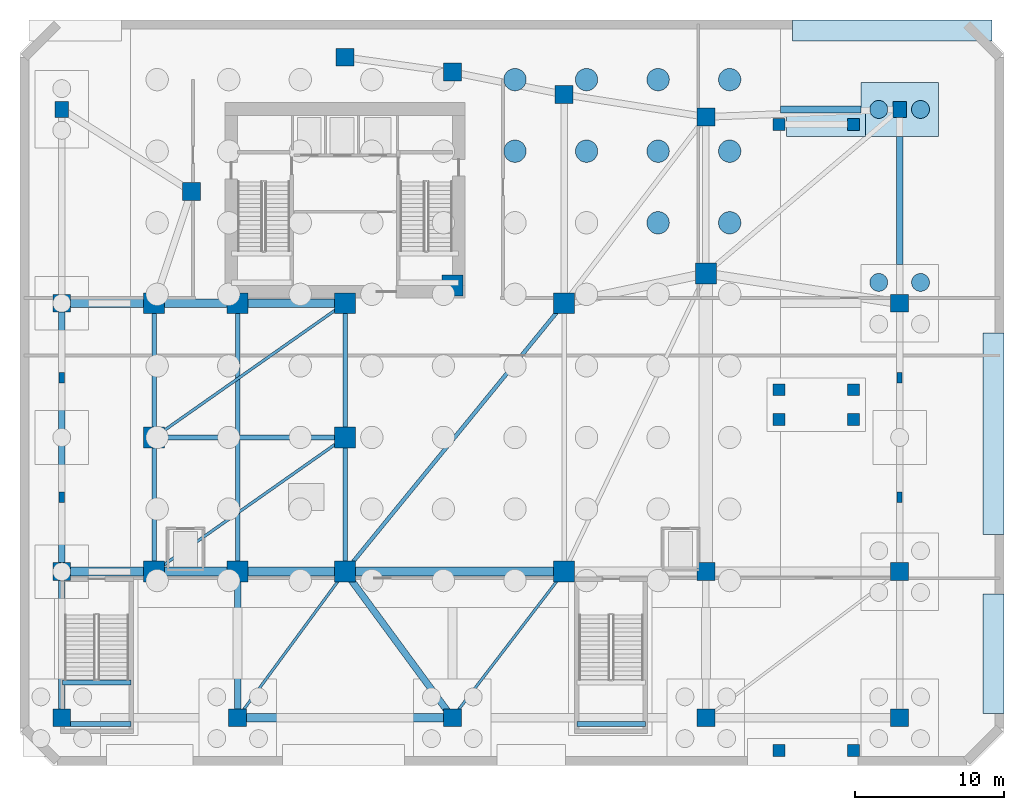
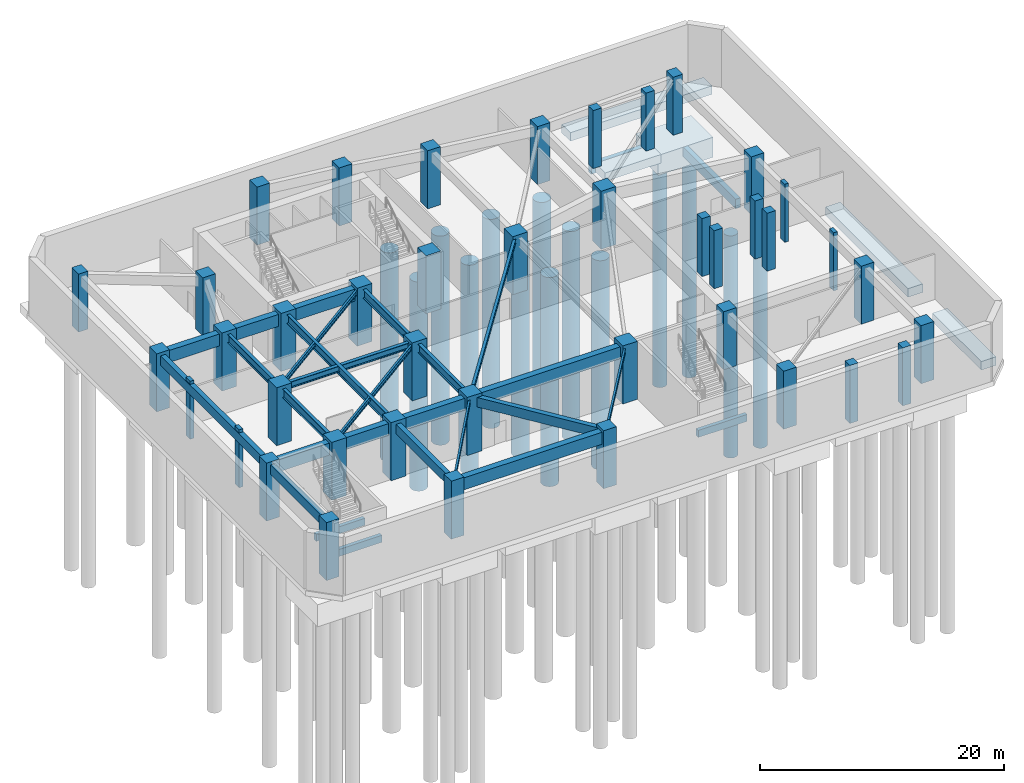
# One storey, part 2 of 9: 41 columns, 26 beams, 14 piles, 7 footings.
"""IFC4 building model written with IfcOpenShell, lengths in metres."""

from ifc_helpers import new_model, si_unit, direction, frame, origin, origin_2d, place, context, subcontext, project, spatial, polyline, rectangle, circle, i_section, outline, extrude, source, transform, mapped, material, material_profile, profile_set, type_object, element, save


model = new_model("IFC4")

# Units and contexts
model_context = context("Model", 3, precision=1e-05, world=origin(), true_north=direction((0.0, 1.0)))
body_context = subcontext(model_context, "Body", "Model", "MODEL_VIEW")
ifc_project = project(units=[si_unit("LENGTHUNIT", "METRE"), si_unit("AREAUNIT", "SQUARE_METRE"), si_unit("VOLUMEUNIT", "CUBIC_METRE"), si_unit("PLANEANGLEUNIT", "RADIAN"), si_unit("MASSUNIT", "GRAM", prefix="KILO")], contexts=[model_context])

# Site, building, storey
site_placement = place(None, origin())
site = spatial("IfcSite", under=ifc_project, at=site_placement, CompositionType="ELEMENT")
building_placement = place(site_placement, origin())
building = spatial("IfcBuilding", under=site, at=building_placement, Name="Calvemar Wedge Station Tower", CompositionType="ELEMENT")
storey_placement = place(building_placement, frame((0.0, 0.0, -11.199951171875)))
storey = spatial("IfcBuildingStorey", under=building, at=storey_placement, Name="B02", CompositionType="ELEMENT", Elevation=-11.199951171875)

# Footings
ifc_material_1 = material(Name="Concrete C45", Category="concrete")
footing_type_1 = type_object("IfcFootingType", Name="FT-SF1", PredefinedType="STRIP_FOOTING", material=ifc_material_1)
footing_1_placement = place(storey_placement, frame((0.0, 0.0, -1.35009765625)))
element("IfcFooting", 1, at=footing_1_placement, inside=storey, type_object=footing_type_1, Name="Perimeter Strip Footing SF-N1", PredefinedType="STRIP_FOOTING", context=body_context, shape_type="SweptSolid", body=[
    extrude(outline(polyline([(53.800048828125, 50.60009765625), (67.199951171875, 50.60009765625), (67.199951171875, 52.0), (53.800048828125, 52.0), (53.800048828125, 50.60009765625)])), origin(), (0.0, 0.0, 1.0), 0.85009765625),
])
footing_2_placement = place(storey_placement, frame((0.0, 0.0, -1.35009765625)))
element("IfcFooting", 2, at=footing_2_placement, inside=storey, type_object=footing_type_1, Name="Perimeter Strip Footing SF-E1", PredefinedType="STRIP_FOOTING", context=body_context, shape_type="SweptSolid", body=[
    extrude(outline(polyline([(66.60009765625, 5.5), (68.0, 5.5), (68.0, 13.5), (66.60009765625, 13.5), (66.60009765625, 5.5)])), origin(), (0.0, 0.0, 1.0), 0.85009765625),
])
footing_3_placement = place(storey_placement, frame((0.0, 0.0, -1.35009765625)))
element("IfcFooting", 3, at=footing_3_placement, inside=storey, type_object=footing_type_1, Name="Perimeter Strip Footing SF-E2", PredefinedType="STRIP_FOOTING", context=body_context, shape_type="SweptSolid", body=[
    extrude(outline(polyline([(66.60009765625, 17.5), (68.0, 17.5), (68.0, 31.0), (66.60009765625, 31.0), (66.60009765625, 17.5)])), origin(), (0.0, 0.0, 1.0), 0.85009765625),
])
footing_4_placement = place(storey_placement, frame((0.0, 0.0, -1.35009765625)))
element("IfcFooting", 4, at=footing_4_placement, inside=storey, type_object=footing_type_1, Name="B02 Vehicle Ramp Foot Strip Footing", PredefinedType="STRIP_FOOTING", context=body_context, shape_type="SweptSolid", body=[
    extrude(outline(polyline([(53.39990234375, 44.199951171875), (58.699951171875, 44.199951171875), (58.699951171875, 45.800048828125), (53.39990234375, 45.800048828125), (53.39990234375, 44.199951171875)])), origin(), (0.0, 0.0, 1.0), 0.85009765625),
])

# Piles
ifc_material_profile_1 = material_profile(ifc_material_1, circle(Radius=0.60009765625, at=origin_2d()), Name="PILE-D1200")
ifc_profile_set_1 = profile_set([ifc_material_profile_1], Name="Concrete C45")
pile_type_1 = type_object("IfcPileType", Name="PILE-1200", PredefinedType="BORED", material=ifc_profile_set_1)
for number, where, z_axis, x_axis, name in (
    (5, (59.60009765625, 34.39990234375, -2.60009765625), (0.0, 0.0, -1.0), (1.0, 0.0, 0.0), "Cap Bored Pile PC-028"),
    (6, (62.39990234375, 34.39990234375, -2.60009765625), (0.0, 0.0, -1.0), (1.0, 0.0, 0.0), "Cap Bored Pile PC-029"),
):
    element("IfcPile", number, at=place(storey_placement, frame(where, z_axis=z_axis, x_axis=x_axis)), inside=storey, type_object=pile_type_1, Name=name, PredefinedType="BORED", context=body_context, shape_type="SweptSolid", body=[
        extrude(circle(Radius=0.60009765625, at=origin_2d()), origin(), (0.0, 0.0, 1.0), 22.199951171875),
    ])
for number, where, z_axis, x_axis, name in (
    (7, (59.60009765625, 46.0, -2.400146484375), (0.0, 0.0, -1.0), (1.0, 0.0, 0.0), "Cap Bored Pile PC-030"),
    (8, (62.39990234375, 46.0, -2.400146484375), (0.0, 0.0, -1.0), (1.0, 0.0, 0.0), "Cap Bored Pile PC-031"),
):
    element("IfcPile", number, at=place(storey_placement, frame(where, z_axis=z_axis, x_axis=x_axis)), inside=storey, type_object=pile_type_1, Name=name, PredefinedType="BORED", context=body_context, shape_type="SweptSolid", body=[
        extrude(circle(Radius=0.60009765625, at=origin_2d()), origin(), (0.0, 0.0, 1.0), 22.39990234375),
    ])
ifc_material_profile_2 = material_profile(ifc_material_1, circle(Radius=0.75, at=origin_2d()), Name="PILE-D1500")
ifc_profile_set_2 = profile_set([ifc_material_profile_2], Name="Concrete C45")
pile_type_2 = type_object("IfcPileType", Name="PILE-1500", PredefinedType="BORED", material=ifc_profile_set_2)
for number, where, z_axis, x_axis, name in (
    (9, (35.199951171875, 43.199951171875, -3.900146484375), (0.0, 0.0, -1.0), (1.0, 0.0, 0.0), "Raft Rock-Socketed Bored Pile P-047"),
    (10, (35.199951171875, 48.0, -3.900146484375), (0.0, 0.0, -1.0), (1.0, 0.0, 0.0), "Raft Rock-Socketed Bored Pile P-048"),
    (11, (40.0, 43.199951171875, -3.900146484375), (0.0, 0.0, -1.0), (1.0, 0.0, 0.0), "Raft Rock-Socketed Bored Pile P-055"),
    (12, (40.0, 48.0, -3.900146484375), (0.0, 0.0, -1.0), (1.0, 0.0, 0.0), "Raft Rock-Socketed Bored Pile P-056"),
    (13, (44.800048828125, 38.39990234375, -3.900146484375), (0.0, 0.0, -1.0), (1.0, 0.0, 0.0), "Raft Rock-Socketed Bored Pile P-062"),
    (14, (44.800048828125, 43.199951171875, -3.900146484375), (0.0, 0.0, -1.0), (1.0, 0.0, 0.0), "Raft Rock-Socketed Bored Pile P-063"),
    (15, (44.800048828125, 48.0, -3.900146484375), (0.0, 0.0, -1.0), (1.0, 0.0, 0.0), "Raft Rock-Socketed Bored Pile P-064"),
    (16, (49.60009765625, 38.39990234375, -3.900146484375), (0.0, 0.0, -1.0), (1.0, 0.0, 0.0), "Raft Rock-Socketed Bored Pile P-070"),
    (17, (49.60009765625, 43.199951171875, -3.900146484375), (0.0, 0.0, -1.0), (1.0, 0.0, 0.0), "Raft Rock-Socketed Bored Pile P-071"),
    (18, (49.60009765625, 48.0, -3.900146484375), (0.0, 0.0, -1.0), (1.0, 0.0, 0.0), "Raft Rock-Socketed Bored Pile P-072"),
):
    element("IfcPile", number, at=place(storey_placement, frame(where, z_axis=z_axis, x_axis=x_axis)), inside=storey, type_object=pile_type_2, Name=name, PredefinedType="BORED", context=body_context, shape_type="SweptSolid", body=[
        extrude(circle(Radius=0.75, at=origin_2d()), origin(), (0.0, 0.0, 1.0), 20.89990234375),
    ])

# Footings
footing_type_2 = type_object("IfcFootingType", Name="FT-PC-2", PredefinedType="PILE_CAP", material=ifc_material_1)
shared_shape_1 = source(origin(), body_context, "Body", "SweptSolid", [
    extrude(rectangle(XDim=5.199951171875, YDim=3.60009765625, at=origin_2d()), origin(), (0.0, 0.0, 1.0), 2.0),
])
footing_5_placement = place(storey_placement, frame((61.0, 46.0, -2.5), z_axis=(0.0, 0.0, 1.0), x_axis=(1.0, 0.0, 0.0)))
element("IfcFooting", 19, at=footing_5_placement, inside=storey, type_object=footing_type_2, Name="Podium Pile Cap PC2-E3", PredefinedType="PILE_CAP", context=body_context, shape_type="MappedRepresentation", body=[
    mapped(shared_shape_1, transform((0.0, 0.0, 0.0), scale=1.0)),
])
ifc_material_profile_3 = material_profile(ifc_material_1, rectangle(XDim=0.449951171875, YDim=0.949951171875, at=origin_2d()), Name="RC450x950")
ifc_profile_set_3 = profile_set([ifc_material_profile_3], Name="Concrete C45")
footing_type_3 = type_object("IfcFootingType", Name="FT-GB2", PredefinedType="FOOTING_BEAM", material=ifc_profile_set_3)
shared_shape_2 = source(origin(), body_context, "Body", "SweptSolid", [
    extrude(rectangle(XDim=0.449951171875, YDim=0.949951171875, at=origin_2d()), origin(), (0.0, 0.0, 1.0), 5.39990234375),
])
footing_6_placement = place(storey_placement, frame((53.0, 46.0, -0.97509765625), z_axis=(1.0, 0.0, 0.0), x_axis=(0.0, 1.0, 0.0)))
element("IfcFooting", 20, at=footing_6_placement, inside=storey, type_object=footing_type_3, Name="Foundation Tie Beam GB-EW3", PredefinedType="FOOTING_BEAM", context=body_context, shape_type="MappedRepresentation", body=[
    mapped(shared_shape_2, transform((0.0, 0.0, 0.0), scale=1.0)),
])
shared_shape_3 = source(origin(), body_context, "Body", "SweptSolid", [
    extrude(rectangle(XDim=0.449951171875, YDim=0.949951171875, at=origin_2d()), origin(), (0.0, 0.0, 1.0), 8.599853515625),
])
footing_7_placement = place(storey_placement, frame((61.0, 35.60009765625, -0.97509765625), z_axis=(0.0, 1.0, 0.0), x_axis=(-1.0, 0.0, 0.0)))
element("IfcFooting", 21, at=footing_7_placement, inside=storey, type_object=footing_type_3, Name="Foundation Tie Beam GB-E3", PredefinedType="FOOTING_BEAM", context=body_context, shape_type="MappedRepresentation", body=[
    mapped(shared_shape_3, transform((0.0, 0.0, 0.0), scale=1.0)),
])

# Columns
ifc_material_2 = material(Name="Concrete C70", Category="concrete")
ifc_material_profile_4 = material_profile(ifc_material_2, rectangle(XDim=1.199951171875, YDim=1.199951171875, at=origin_2d()), Name="RC1200x1200")
ifc_profile_set_4 = profile_set([ifc_material_profile_4], Name="Concrete C70")
column_type_1 = type_object("IfcColumnType", Name="COL-C2-1200", PredefinedType="COLUMN", material=ifc_profile_set_4)
shared_shape_4 = source(origin(), body_context, "Body", "SweptSolid", [
    extrude(rectangle(XDim=1.199951171875, YDim=1.199951171875, at=origin_2d()), origin(), (0.0, 0.0, 1.0), 5.800048828125),
])
for number, where, z_axis, x_axis, name in (
    (22, (4.800048828125, 5.199951171875, 0.0), (0.0, 0.0, 1.0), (1.0, 0.0, 0.0), "Storey B02 Column P-S1"),
    (23, (16.60009765625, 5.199951171875, 0.0), (0.0, 0.0, 1.0), (1.0, 0.0, 0.0), "Storey B02 Column P-S2"),
    (24, (31.0, 5.199951171875, 0.0), (0.0, 0.0, 1.0), (1.0, 0.0, 0.0), "Storey B02 Column P-S3"),
    (25, (48.0, 5.199951171875, 0.0), (0.0, 0.0, 1.0), (1.0, 0.0, 0.0), "Storey B02 Column P-S4"),
    (26, (61.0, 5.199951171875, 0.0), (0.0, 0.0, 1.0), (1.0, 0.0, 0.0), "Storey B02 Column P-S5"),
    (27, (4.800048828125, 15.0, 0.0), (0.0, 0.0, 1.0), (1.0, 0.0, 0.0), "Storey B02 Column P-CS0"),
    (28, (48.0, 15.0, 0.0), (0.0, 0.0, 1.0), (1.0, 0.0, 0.0), "Storey B02 Column P-CS5"),
    (29, (61.0, 15.0, 0.0), (0.0, 0.0, 1.0), (1.0, 0.0, 0.0), "Storey B02 Column P-CS6"),
    (30, (4.800048828125, 33.0, 0.0), (0.0, 0.0, 1.0), (1.0, 0.0, 0.0), "Storey B02 Column P-CN0"),
    (31, (61.0, 33.0, 0.0), (0.0, 0.0, 1.0), (1.0, 0.0, 0.0), "Storey B02 Column P-CN7"),
    (32, (13.5, 40.5, 0.0), (0.0, 0.0, 1.0), (1.0, 0.0, 0.0), "Storey B02 Column P-N1"),
    (33, (23.800048828125, 49.5, 0.0), (0.0, 0.0, 1.0), (1.0, 0.0, 0.0), "Storey B02 Column P-N2"),
    (34, (31.0, 48.5, 0.0), (0.0, 0.0, 1.0), (1.0, 0.0, 0.0), "Storey B02 Column P-N3"),
    (35, (38.5, 47.0, 0.0), (0.0, 0.0, 1.0), (1.0, 0.0, 0.0), "Storey B02 Column P-N4"),
    (36, (48.0, 45.5, 0.0), (0.0, 0.0, 1.0), (1.0, 0.0, 0.0), "Storey B02 Column P-N5"),
):
    element("IfcColumn", number, at=place(storey_placement, frame(where, z_axis=z_axis, x_axis=x_axis)), inside=storey, type_object=column_type_1, Name=name, PredefinedType="COLUMN", context=body_context, shape_type="MappedRepresentation", body=[
        mapped(shared_shape_4, transform((0.0, 0.0, 0.0), scale=1.0)),
    ])
ifc_material_3 = material(Name="Concrete C80", Category="concrete")
ifc_material_profile_5 = material_profile(ifc_material_3, rectangle(XDim=1.39990234375, YDim=1.39990234375, at=origin_2d()), Name="RC1400x1400")
ifc_profile_set_5 = profile_set([ifc_material_profile_5], Name="Concrete C80")
column_type_2 = type_object("IfcColumnType", Name="COL-C1-1400", PredefinedType="COLUMN", material=ifc_profile_set_5)
shared_shape_5 = source(origin(), body_context, "Body", "SweptSolid", [
    extrude(rectangle(XDim=1.39990234375, YDim=1.39990234375, at=origin_2d()), origin(), (0.0, 0.0, 1.0), 5.800048828125),
])
for number, where, z_axis, x_axis, name in (
    (37, (11.0, 15.0, 0.0), (0.0, 0.0, 1.0), (1.0, 0.0, 0.0), "Storey B02 Column P-CS1"),
    (38, (16.60009765625, 15.0, 0.0), (0.0, 0.0, 1.0), (1.0, 0.0, 0.0), "Storey B02 Column P-CS2"),
    (39, (23.800048828125, 15.0, 0.0), (0.0, 0.0, 1.0), (1.0, 0.0, 0.0), "Storey B02 Column P-CS3"),
    (40, (38.5, 15.0, 0.0), (0.0, 0.0, 1.0), (1.0, 0.0, 0.0), "Storey B02 Column P-CS4"),
    (41, (11.0, 24.0, 0.0), (0.0, 0.0, 1.0), (1.0, 0.0, 0.0), "Storey B02 Column P-CM1"),
    (42, (23.800048828125, 24.0, 0.0), (0.0, 0.0, 1.0), (1.0, 0.0, 0.0), "Storey B02 Column P-CM2"),
    (43, (11.0, 33.0, 0.0), (0.0, 0.0, 1.0), (1.0, 0.0, 0.0), "Storey B02 Column P-CN1"),
    (44, (16.60009765625, 33.0, 0.0), (0.0, 0.0, 1.0), (1.0, 0.0, 0.0), "Storey B02 Column P-CN2"),
    (45, (23.800048828125, 33.0, 0.0), (0.0, 0.0, 1.0), (1.0, 0.0, 0.0), "Storey B02 Column P-CN3"),
    (46, (31.0, 34.199951171875, 0.0), (0.0, 0.0, 1.0), (1.0, 0.0, 0.0), "Storey B02 Column P-CN4"),
    (47, (38.5, 33.0, 0.0), (0.0, 0.0, 1.0), (1.0, 0.0, 0.0), "Storey B02 Column P-CN5"),
    (48, (48.0, 35.0, 0.0), (0.0, 0.0, 1.0), (1.0, 0.0, 0.0), "Storey B02 Column P-CN6"),
):
    element("IfcColumn", number, at=place(storey_placement, frame(where, z_axis=z_axis, x_axis=x_axis)), inside=storey, type_object=column_type_2, Name=name, PredefinedType="COLUMN", context=body_context, shape_type="MappedRepresentation", body=[
        mapped(shared_shape_5, transform((0.0, 0.0, 0.0), scale=1.0)),
    ])
ifc_material_profile_6 = material_profile(ifc_material_2, rectangle(XDim=0.89990234375, YDim=1.10009765625, at=origin_2d()), Name="RC1100x900")
ifc_profile_set_6 = profile_set([ifc_material_profile_6], Name="Concrete C70")
column_type_3 = type_object("IfcColumnType", Name="COL-C3-1100x900", PredefinedType="COLUMN", material=ifc_profile_set_6)
shared_shape_6 = source(origin(), body_context, "Body", "SweptSolid", [
    extrude(rectangle(XDim=0.89990234375, YDim=1.10009765625, at=origin_2d()), origin(), (0.0, 0.0, 1.0), 5.800048828125),
])
for number, where, z_axis, x_axis, name in (
    (49, (4.800048828125, 46.0, 0.0), (0.0, 0.0, 1.0), (1.0, 0.0, 0.0), "Storey B02 Column P-N0"),
    (50, (61.0, 46.0, 0.0), (0.0, 0.0, 1.0), (1.0, 0.0, 0.0), "Storey B02 Column P-N6"),
):
    element("IfcColumn", number, at=place(storey_placement, frame(where, z_axis=z_axis, x_axis=x_axis)), inside=storey, type_object=column_type_3, Name=name, PredefinedType="COLUMN", context=body_context, shape_type="MappedRepresentation", body=[
        mapped(shared_shape_6, transform((0.0, 0.0, 0.0), scale=1.0)),
    ])
ifc_material_4 = material(Name="Concrete C60", Category="concrete")
ifc_material_profile_7 = material_profile(ifc_material_4, rectangle(XDim=0.35009765625, YDim=0.699951171875, at=origin_2d()), Name="RC350x700")
ifc_profile_set_7 = profile_set([ifc_material_profile_7], Name="Concrete C60")
column_type_4 = type_object("IfcColumnType", Name="PIL-P1-700", PredefinedType="PILASTER", material=ifc_profile_set_7)
shared_shape_7 = source(origin(), body_context, "Body", "SweptSolid", [
    extrude(rectangle(XDim=0.35009765625, YDim=0.699951171875, at=origin_2d()), origin(), (0.0, 0.0, 1.0), 5.800048828125),
])
for number, where, z_axis, x_axis, name in (
    (51, (4.800048828125, 20.0, 0.0), (0.0, 0.0, 1.0), (1.0, 0.0, 0.0), "Storey B02 Concourse Pilaster 1"),
    (52, (4.800048828125, 28.0, 0.0), (0.0, 0.0, 1.0), (1.0, 0.0, 0.0), "Storey B02 Concourse Pilaster 2"),
    (53, (61.0, 20.0, 0.0), (0.0, 0.0, 1.0), (1.0, 0.0, 0.0), "Storey B02 Concourse Pilaster 3"),
    (54, (61.0, 28.0, 0.0), (0.0, 0.0, 1.0), (1.0, 0.0, 0.0), "Storey B02 Concourse Pilaster 4"),
):
    element("IfcColumn", number, at=place(storey_placement, frame(where, z_axis=z_axis, x_axis=x_axis)), inside=storey, type_object=column_type_4, Name=name, PredefinedType="PILASTER", context=body_context, shape_type="MappedRepresentation", body=[
        mapped(shared_shape_7, transform((0.0, 0.0, 0.0), scale=1.0)),
    ])
ifc_material_5 = material(Name="Concrete C50", Category="concrete")
ifc_material_profile_8 = material_profile(ifc_material_5, rectangle(XDim=0.800048828125, YDim=0.800048828125, at=origin_2d()), Name="RC800x800")
ifc_profile_set_8 = profile_set([ifc_material_profile_8], Name="Concrete C50")
column_type_5 = type_object("IfcColumnType", Name="COL-C6-800", PredefinedType="COLUMN", material=ifc_profile_set_8)
shared_shape_8 = source(origin(), body_context, "Body", "SweptSolid", [
    extrude(rectangle(XDim=0.800048828125, YDim=0.800048828125, at=origin_2d()), origin(), (0.0, 0.0, 1.0), 5.800048828125),
])
for number, where, z_axis, x_axis, name in (
    (55, (52.89990234375, 3.0, 0.0), (0.0, 0.0, 1.0), (1.0, 0.0, 0.0), "B02 Vehicle Ramp Sub-Pier Column 1.3"),
    (56, (52.89990234375, 25.199951171875, 0.0), (0.0, 0.0, 1.0), (1.0, 0.0, 0.0), "B02 Vehicle Ramp Sub-Pier Column 1.25"),
    (57, (52.89990234375, 27.199951171875, 0.0), (0.0, 0.0, 1.0), (1.0, 0.0, 0.0), "B02 Vehicle Ramp Sub-Pier Column 1.27"),
    (58, (52.89990234375, 45.0, 0.0), (0.0, 0.0, 1.0), (1.0, 0.0, 0.0), "B02 Vehicle Ramp Foot Pier Column 1.45"),
    (59, (57.89990234375, 3.0, 0.0), (0.0, 0.0, 1.0), (1.0, 0.0, 0.0), "B02 Vehicle Ramp Sub-Pier Column 2.3"),
    (60, (57.89990234375, 25.199951171875, 0.0), (0.0, 0.0, 1.0), (1.0, 0.0, 0.0), "B02 Vehicle Ramp Sub-Pier Column 2.25"),
    (61, (57.89990234375, 27.199951171875, 0.0), (0.0, 0.0, 1.0), (1.0, 0.0, 0.0), "B02 Vehicle Ramp Sub-Pier Column 2.27"),
    (62, (57.89990234375, 45.0, 0.0), (0.0, 0.0, 1.0), (1.0, 0.0, 0.0), "B02 Vehicle Ramp Foot Pier Column 2.45"),
):
    element("IfcColumn", number, at=place(storey_placement, frame(where, z_axis=z_axis, x_axis=x_axis)), inside=storey, type_object=column_type_5, Name=name, PredefinedType="COLUMN", context=body_context, shape_type="MappedRepresentation", body=[
        mapped(shared_shape_8, transform((0.0, 0.0, 0.0), scale=1.0)),
    ])

# Beams
ifc_material_profile_9 = material_profile(ifc_material_2, rectangle(XDim=0.35009765625, YDim=0.699951171875, at=origin_2d()), Name="RC350x700")
ifc_profile_set_9 = profile_set([ifc_material_profile_9], Name="Concrete C70")
beam_type_1 = type_object("IfcBeamType", Name="BM-LN1-700", PredefinedType="LINTEL", material=ifc_profile_set_9)
shared_shape_9 = source(origin(), body_context, "Body", "SweptSolid", [
    extrude(rectangle(XDim=0.35009765625, YDim=0.699951171875, at=origin_2d()), origin(), (0.0, 0.0, 1.0), 4.599853515625),
])
for number, where, z_axis, x_axis, name in (
    (63, (4.85009765625, 4.780029296875, 2.349853515625), (1.0, 0.0, 0.0), (0.0, 1.0, 0.0), "Storey B02 Stair ST-P1 Half-Landing Beam 1A"),
    (64, (4.85009765625, 7.570068359375, 2.349853515625), (1.0, 0.0, 0.0), (0.0, 1.0, 0.0), "Storey B02 Stair ST-P1 Half-Landing Beam 1B"),
    (65, (39.35009765625, 4.780029296875, 2.349853515625), (1.0, 0.0, 0.0), (0.0, 1.0, 0.0), "Storey B02 Stair ST-P2 Half-Landing Beam 1A"),
):
    element("IfcBeam", number, at=place(storey_placement, frame(where, z_axis=z_axis, x_axis=x_axis)), inside=storey, type_object=beam_type_1, Name=name, PredefinedType="LINTEL", context=body_context, shape_type="MappedRepresentation", body=[
        mapped(shared_shape_9, transform((0.0, 0.0, 0.0), scale=1.0)),
    ])
ifc_material_profile_10 = material_profile(ifc_material_4, rectangle(XDim=0.60009765625, YDim=1.199951171875, at=origin_2d()), Name="RC600x1200")
ifc_profile_set_10 = profile_set([ifc_material_profile_10], Name="Concrete C60")
beam_type_2 = type_object("IfcBeamType", Name="BM-G1-1200", PredefinedType="BEAM", material=ifc_profile_set_10)
shared_shape_10 = source(origin(), body_context, "Body", "SweptSolid", [
    extrude(rectangle(XDim=0.60009765625, YDim=1.199951171875, at=origin_2d()), origin(), (0.0, 0.0, 1.0), 14.39990234375),
])
beam_1_placement = place(storey_placement, frame((16.60009765625, 5.199951171875, 4.8798828125), z_axis=(1.0, 0.0, 0.0), x_axis=(0.0, 1.0, 0.0)))
element("IfcBeam", 66, at=beam_1_placement, inside=storey, type_object=beam_type_2, Name="Storey B02 Primary Girder G02", PredefinedType="BEAM", context=body_context, shape_type="MappedRepresentation", body=[
    mapped(shared_shape_10, transform((0.0, 0.0, 0.0), scale=1.0)),
])
shared_shape_11 = source(origin(), body_context, "Body", "SweptSolid", [
    extrude(rectangle(XDim=0.60009765625, YDim=1.199951171875, at=origin_2d()), origin(), (0.0, 0.0, 1.0), 6.199951171875),
])
for number, where, z_axis, x_axis, name in (
    (67, (4.800048828125, 15.0, 4.8798828125), (1.0, 0.0, 0.0), (0.0, 1.0, 0.0), "Storey B02 Primary Girder G05"),
    (68, (4.800048828125, 33.0, 4.8798828125), (1.0, 0.0, 0.0), (0.0, 1.0, 0.0), "Storey B02 Primary Girder G11"),
):
    element("IfcBeam", number, at=place(storey_placement, frame(where, z_axis=z_axis, x_axis=x_axis)), inside=storey, type_object=beam_type_2, Name=name, PredefinedType="BEAM", context=body_context, shape_type="MappedRepresentation", body=[
        mapped(shared_shape_11, transform((0.0, 0.0, 0.0), scale=1.0)),
    ])
shared_shape_12 = source(origin(), body_context, "Body", "SweptSolid", [
    extrude(rectangle(XDim=0.60009765625, YDim=1.199951171875, at=origin_2d()), origin(), (0.0, 0.0, 1.0), 5.60009765625),
])
for number, where, z_axis, x_axis, name in (
    (69, (11.0, 15.0, 4.8798828125), (1.0, 0.0, 0.0), (0.0, 1.0, 0.0), "Storey B02 Primary Girder G06"),
    (70, (11.0, 33.0, 4.8798828125), (1.0, 0.0, 0.0), (0.0, 1.0, 0.0), "Storey B02 Primary Girder G12"),
):
    element("IfcBeam", number, at=place(storey_placement, frame(where, z_axis=z_axis, x_axis=x_axis)), inside=storey, type_object=beam_type_2, Name=name, PredefinedType="BEAM", context=body_context, shape_type="MappedRepresentation", body=[
        mapped(shared_shape_12, transform((0.0, 0.0, 0.0), scale=1.0)),
    ])
shared_shape_13 = source(origin(), body_context, "Body", "SweptSolid", [
    extrude(rectangle(XDim=0.60009765625, YDim=1.199951171875, at=origin_2d()), origin(), (0.0, 0.0, 1.0), 7.199951171875),
])
for number, where, z_axis, x_axis, name in (
    (71, (16.60009765625, 15.0, 4.8798828125), (1.0, 0.0, 0.0), (0.0, 1.0, 0.0), "Storey B02 Primary Girder G07"),
    (72, (16.60009765625, 33.0, 4.8798828125), (1.0, 0.0, 0.0), (0.0, 1.0, 0.0), "Storey B02 Primary Girder G13"),
):
    element("IfcBeam", number, at=place(storey_placement, frame(where, z_axis=z_axis, x_axis=x_axis)), inside=storey, type_object=beam_type_2, Name=name, PredefinedType="BEAM", context=body_context, shape_type="MappedRepresentation", body=[
        mapped(shared_shape_13, transform((0.0, 0.0, 0.0), scale=1.0)),
    ])
shared_shape_14 = source(origin(), body_context, "Body", "SweptSolid", [
    extrude(rectangle(XDim=0.60009765625, YDim=1.199951171875, at=origin_2d()), origin(), (0.0, 0.0, 1.0), 14.699951171875),
])
beam_2_placement = place(storey_placement, frame((23.800048828125, 15.0, 4.8798828125), z_axis=(1.0, 0.0, 0.0), x_axis=(0.0, 1.0, 0.0)))
element("IfcBeam", 73, at=beam_2_placement, inside=storey, type_object=beam_type_2, Name="Storey B02 Primary Girder G08", PredefinedType="BEAM", context=body_context, shape_type="MappedRepresentation", body=[
    mapped(shared_shape_14, transform((0.0, 0.0, 0.0), scale=1.0)),
])
ifc_material_profile_11 = material_profile(ifc_material_5, rectangle(XDim=0.449951171875, YDim=0.949951171875, at=origin_2d()), Name="RC450x950")
ifc_profile_set_11 = profile_set([ifc_material_profile_11], Name="Concrete C50")
beam_type_3 = type_object("IfcBeamType", Name="BM-G2-950", PredefinedType="BEAM", material=ifc_profile_set_11)
shared_shape_15 = source(origin(), body_context, "Body", "SweptSolid", [
    extrude(rectangle(XDim=0.449951171875, YDim=0.949951171875, at=origin_2d()), origin(), (0.0, 0.0, 1.0), 18.0),
])
beam_3_placement = place(storey_placement, frame((4.800048828125, 15.0, 5.0048828125), z_axis=(0.0, 1.0, 0.0), x_axis=(-1.0, 0.0, 0.0)))
element("IfcBeam", 74, at=beam_3_placement, inside=storey, type_object=beam_type_3, Name="Storey B02 Primary Girder G18", PredefinedType="BEAM", context=body_context, shape_type="MappedRepresentation", body=[
    mapped(shared_shape_15, transform((0.0, 0.0, 0.0), scale=1.0)),
])
ifc_material_6 = material(Name="Structural steel ASTM A572 Grade 50", Category="steel")
ifc_material_profile_12 = material_profile(ifc_material_6, i_section(OverallWidth=0.303955078125, OverallDepth=0.862060546875, WebThickness=0.019775390625, FlangeThickness=0.035888671875, FilletRadius=0.02001953125, at=origin_2d()), Name="W840x329")
ifc_profile_set_12 = profile_set([ifc_material_profile_12], Name="Structural steel ASTM A572 Grade 50")
beam_type_4 = type_object("IfcBeamType", Name="BM-TR2-W840", PredefinedType="BEAM", material=ifc_profile_set_12)
shared_shape_16 = source(origin(), body_context, "Body", "SweptSolid", [
    extrude(i_section(OverallWidth=0.303955078125, OverallDepth=0.862060546875, WebThickness=0.019775390625, FlangeThickness=0.035888671875, FilletRadius=0.02001953125, at=origin_2d()), origin(), (0.0, 0.0, 1.0), 9.0),
])
for number, where, z_axis, x_axis, name in (
    (75, (11.0, 15.0, 5.049072265625), (0.0, 1.0, 0.0), (-1.0, 0.0, 0.0), "Storey B02 Primary Girder G19"),
    (76, (11.0, 24.0, 5.049072265625), (0.0, 1.0, 0.0), (-1.0, 0.0, 0.0), "Storey B02 Primary Girder G20"),
    (77, (23.800048828125, 15.0, 5.049072265625), (0.0, 1.0, 0.0), (-1.0, 0.0, 0.0), "Storey B02 Primary Girder G22"),
    (78, (23.800048828125, 24.0, 5.049072265625), (0.0, 1.0, 0.0), (-1.0, 0.0, 0.0), "Storey B02 Primary Girder G23"),
):
    element("IfcBeam", number, at=place(storey_placement, frame(where, z_axis=z_axis, x_axis=x_axis)), inside=storey, type_object=beam_type_4, Name=name, PredefinedType="BEAM", context=body_context, shape_type="MappedRepresentation", body=[
        mapped(shared_shape_16, transform((0.0, 0.0, 0.0), scale=1.0)),
    ])
shared_shape_17 = source(origin(), body_context, "Body", "SweptSolid", [
    extrude(i_section(OverallWidth=0.303955078125, OverallDepth=0.862060546875, WebThickness=0.019775390625, FlangeThickness=0.035888671875, FilletRadius=0.02001953125, at=origin_2d()), origin(), (0.0, 0.0, 1.0), 18.0),
])
beam_4_placement = place(storey_placement, frame((16.60009765625, 15.0, 5.049072265625), z_axis=(0.0, 1.0, 0.0), x_axis=(-1.0, 0.0, 0.0)))
element("IfcBeam", 79, at=beam_4_placement, inside=storey, type_object=beam_type_4, Name="Storey B02 Primary Girder G21", PredefinedType="BEAM", context=body_context, shape_type="MappedRepresentation", body=[
    mapped(shared_shape_17, transform((0.0, 0.0, 0.0), scale=1.0)),
])
ifc_material_profile_13 = material_profile(ifc_material_6, i_section(OverallWidth=0.3291015625, OverallDepth=0.635009765625, WebThickness=0.017822265625, FlangeThickness=0.031005859375, FilletRadius=0.014892578125, at=origin_2d()), Name="W610x241")
ifc_profile_set_13 = profile_set([ifc_material_profile_13], Name="Structural steel ASTM A572 Grade 50")
beam_type_5 = type_object("IfcBeamType", Name="BM-SB1-W610H", PredefinedType="BEAM", material=ifc_profile_set_13)
shared_shape_18 = source(origin(), body_context, "Body", "SweptSolid", [
    extrude(i_section(OverallWidth=0.3291015625, OverallDepth=0.635009765625, WebThickness=0.017822265625, FlangeThickness=0.031005859375, FilletRadius=0.014892578125, at=origin_2d()), origin(), (0.0, 0.0, 1.0), 12.800048828125),
])
beam_5_placement = place(storey_placement, frame((11.0, 24.0, 5.162353515625), z_axis=(1.0, 0.0, 0.0), x_axis=(0.0, 1.0, 0.0)))
element("IfcBeam", 80, at=beam_5_placement, inside=storey, type_object=beam_type_5, Name="Storey B02 Primary Girder G27", PredefinedType="BEAM", context=body_context, shape_type="MappedRepresentation", body=[
    mapped(shared_shape_18, transform((0.0, 0.0, 0.0), scale=1.0)),
])
shared_shape_19 = source(origin(), body_context, "Body", "SweptSolid", [
    extrude(rectangle(XDim=0.449951171875, YDim=0.949951171875, at=origin_2d()), origin(), (0.0, 0.0, 1.0), 9.800048828125),
])
for number, where, z_axis, x_axis, name in (
    (81, (4.800048828125, 5.199951171875, 5.0048828125), (0.0, 1.0, 0.0), (-1.0, 0.0, 0.0), "Storey B02 Primary Girder G28"),
    (82, (16.60009765625, 5.199951171875, 5.0048828125), (0.0, 1.0, 0.0), (-1.0, 0.0, 0.0), "Storey B02 Primary Girder G29"),
):
    element("IfcBeam", number, at=place(storey_placement, frame(where, z_axis=z_axis, x_axis=x_axis)), inside=storey, type_object=beam_type_3, Name=name, PredefinedType="BEAM", context=body_context, shape_type="MappedRepresentation", body=[
        mapped(shared_shape_19, transform((0.0, 0.0, 0.0), scale=1.0)),
    ])
shared_shape_20 = source(origin(), body_context, "Body", "SweptSolid", [
    extrude(rectangle(XDim=0.449951171875, YDim=0.949951171875, at=origin_2d()), origin(), (0.0, 0.0, 1.0), 12.16064453125),
])
beam_6_placement = place(storey_placement, frame((31.0, 5.199951171875, 5.0048828125), z_axis=(-0.59207191039, 0.805885136311, 0.0), x_axis=(-0.805885136311, -0.59207191039, 0.0)))
element("IfcBeam", 83, at=beam_6_placement, inside=storey, type_object=beam_type_3, Name="Storey B02 Primary Girder G30", PredefinedType="BEAM", context=body_context, shape_type="MappedRepresentation", body=[
    mapped(shared_shape_20, transform((0.0, 0.0, 0.0), scale=1.0)),
])
ifc_material_profile_14 = material_profile(ifc_material_6, i_section(OverallWidth=0.19189453125, OverallDepth=0.462890625, WebThickness=0.010498046875, FlangeThickness=0.017578125, FilletRadius=0.012939453125, at=origin_2d()), Name="W460x89")
ifc_profile_set_14 = profile_set([ifc_material_profile_14], Name="Structural steel ASTM A572 Grade 50")
beam_type_6 = type_object("IfcBeamType", Name="BM-J1-W460", PredefinedType="JOIST", material=ifc_profile_set_14)
shared_shape_21 = source(origin(), body_context, "Body", "SweptSolid", [
    extrude(i_section(OverallWidth=0.19189453125, OverallDepth=0.462890625, WebThickness=0.010498046875, FlangeThickness=0.017578125, FilletRadius=0.012939453125, at=origin_2d()), origin(), (0.0, 0.0, 1.0), 15.6474609375),
])
for number, where, z_axis, x_axis, name in (
    (84, (11.0, 15.0, 5.24853515625), (0.818030190743, 0.575175283747, 0.0), (-0.575175283747, 0.818030190743, 0.0), "Storey B02 Concourse Cross Joist 1"),
    (85, (11.0, 24.0, 5.24853515625), (0.818030190743, 0.575175283747, 0.0), (-0.575175283747, 0.818030190743, 0.0), "Storey B02 Concourse Cross Joist 2"),
):
    element("IfcBeam", number, at=place(storey_placement, frame(where, z_axis=z_axis, x_axis=x_axis)), inside=storey, type_object=beam_type_6, Name=name, PredefinedType="JOIST", context=body_context, shape_type="MappedRepresentation", body=[
        mapped(shared_shape_21, transform((0.0, 0.0, 0.0), scale=1.0)),
    ])
ifc_material_profile_15 = material_profile(ifc_material_6, i_section(OverallWidth=0.260986328125, OverallDepth=0.419921875, WebThickness=0.01171875, FlangeThickness=0.019287109375, FilletRadius=0.012939453125, at=origin_2d()), Name="W410x114")
ifc_profile_set_15 = profile_set([ifc_material_profile_15], Name="Structural steel ASTM A572 Grade 50")
beam_type_7 = type_object("IfcBeamType", Name="BM-J2-W410H", PredefinedType="JOIST", material=ifc_profile_set_15)
shared_shape_22 = source(origin(), body_context, "Body", "SweptSolid", [
    extrude(i_section(OverallWidth=0.260986328125, OverallDepth=0.419921875, WebThickness=0.01171875, FlangeThickness=0.019287109375, FilletRadius=0.012939453125, at=origin_2d()), origin(), (0.0, 0.0, 1.0), 23.23974609375),
])
beam_7_placement = place(storey_placement, frame((23.800048828125, 15.0, 5.27001953125), z_axis=(0.632533310438, 0.774533156931, 0.0), x_axis=(-0.774533156931, 0.632533310438, 0.0)))
element("IfcBeam", 86, at=beam_7_placement, inside=storey, type_object=beam_type_7, Name="Storey B02 Concourse Cross Joist 3", PredefinedType="JOIST", context=body_context, shape_type="MappedRepresentation", body=[
    mapped(shared_shape_22, transform((0.0, 0.0, 0.0), scale=1.0)),
])
ifc_material_profile_16 = material_profile(ifc_material_6, i_section(OverallWidth=0.177978515625, OverallDepth=0.406982421875, WebThickness=0.0078125, FlangeThickness=0.0126953125, FilletRadius=0.010009765625, at=origin_2d()), Name="W410x60")
ifc_profile_set_16 = profile_set([ifc_material_profile_16], Name="Structural steel ASTM A572 Grade 50")
beam_type_8 = type_object("IfcBeamType", Name="BM-J3-W410", PredefinedType="JOIST", material=ifc_profile_set_16)
shared_shape_23 = source(origin(), body_context, "Body", "SweptSolid", [
    extrude(i_section(OverallWidth=0.177978515625, OverallDepth=0.406982421875, WebThickness=0.0078125, FlangeThickness=0.0126953125, FilletRadius=0.010009765625, at=origin_2d()), origin(), (0.0, 0.0, 1.0), 12.16064453125),
])
beam_8_placement = place(storey_placement, frame((16.60009765625, 5.199951171875, 5.2763671875), z_axis=(0.59207191039, 0.805885136311, 0.0), x_axis=(-0.805885136311, 0.59207191039, 0.0)))
element("IfcBeam", 87, at=beam_8_placement, inside=storey, type_object=beam_type_8, Name="Storey B02 Concourse Cross Joist 6", PredefinedType="JOIST", context=body_context, shape_type="MappedRepresentation", body=[
    mapped(shared_shape_23, transform((0.0, 0.0, 0.0), scale=1.0)),
])
shared_shape_24 = source(origin(), body_context, "Body", "SweptSolid", [
    extrude(i_section(OverallWidth=0.177978515625, OverallDepth=0.406982421875, WebThickness=0.0078125, FlangeThickness=0.0126953125, FilletRadius=0.010009765625, at=origin_2d()), origin(), (0.0, 0.0, 1.0), 12.340576171875),
])
beam_9_placement = place(storey_placement, frame((31.0, 5.199951171875, 5.2763671875), z_axis=(0.60774893356, 0.794129229884, 0.0), x_axis=(-0.794129229884, 0.60774893356, 0.0)))
element("IfcBeam", 88, at=beam_9_placement, inside=storey, type_object=beam_type_8, Name="Storey B02 Concourse Cross Joist 7", PredefinedType="JOIST", context=body_context, shape_type="MappedRepresentation", body=[
    mapped(shared_shape_24, transform((0.0, 0.0, 0.0), scale=1.0)),
])

save(model, "model.ifc")
